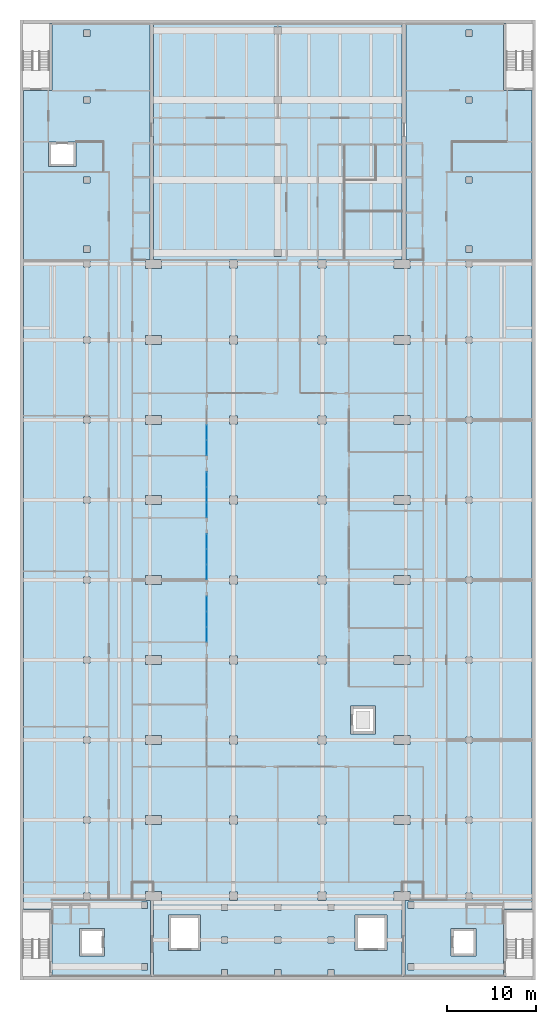
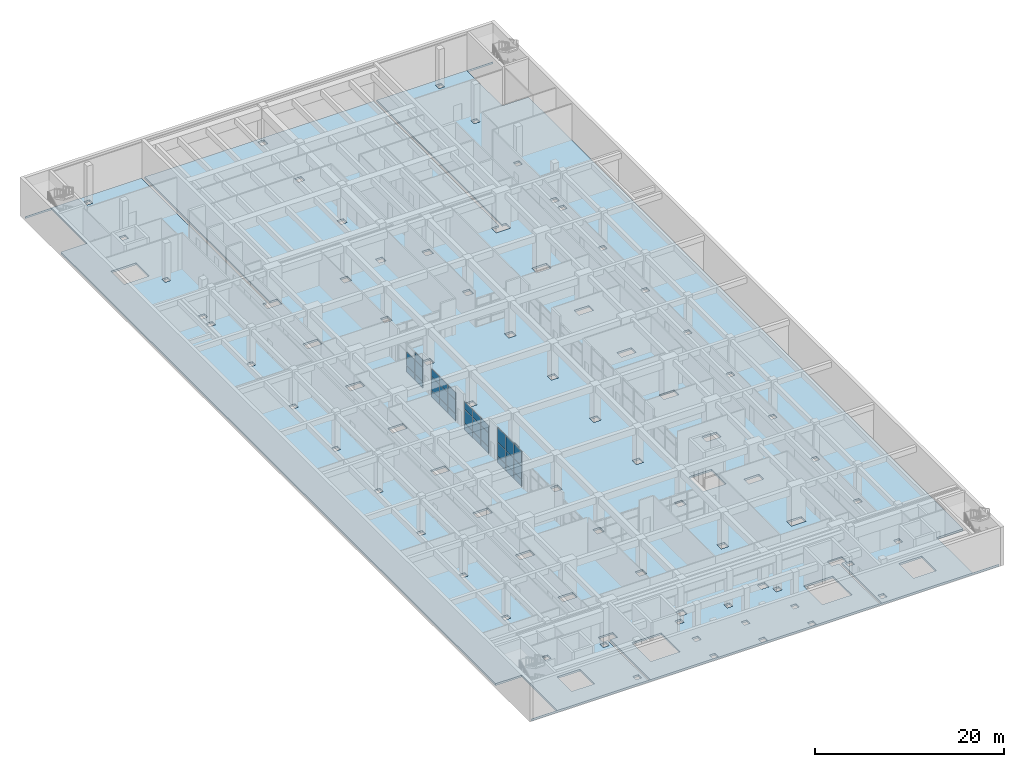
# One storey, part 15 of 29: 32 plates, 1 slab, 4 elements without a shape of their own.
"""IFC4 building model written with IfcOpenShell, lengths in metres."""

from ifc_helpers import new_model, si_unit, direction, frame, origin, origin_2d, place, context, subcontext, project, spatial, polyline, rectangle, outline, extrude, material, layer, layer_set, type_object, element, aggregate, save


model = new_model("IFC4")

# Units and contexts
model_context = context("Model", 3, precision=1e-05, world=origin(), true_north=direction((0.0, 1.0)))
body_context = subcontext(model_context, "Body", "Model", "MODEL_VIEW")
ifc_project = project(units=[si_unit("LENGTHUNIT", "METRE"), si_unit("AREAUNIT", "SQUARE_METRE"), si_unit("VOLUMEUNIT", "CUBIC_METRE"), si_unit("PLANEANGLEUNIT", "RADIAN"), si_unit("MASSUNIT", "GRAM", prefix="KILO")], contexts=[model_context])

# Site, building, storey
site_placement = place(None, origin())
site = spatial("IfcSite", under=ifc_project, at=site_placement, CompositionType="ELEMENT")
building_placement = place(site_placement, origin())
building = spatial("IfcBuilding", under=site, at=building_placement, Name="Elmora Arch Market Hall", CompositionType="ELEMENT")
storey_placement = place(building_placement, frame((0.0, 0.0, -5.0)))
storey = spatial("IfcBuildingStorey", under=building, at=storey_placement, Name="LG", CompositionType="ELEMENT", Elevation=-5.0)

# Slab
ifc_material_1 = material(Name="Concrete C32/40", Category="concrete")
ifc_layer_1 = layer(ifc_material_1, 0.25)
ifc_layer_set_1 = layer_set([ifc_layer_1], Name="Concrete C32/40")
slab_type = type_object("IfcSlabType", Name="Floor slab 250", PredefinedType="FLOOR", material=ifc_layer_set_1)
slab_placement = place(storey_placement, frame((0.0, 0.0, -0.25)))
element("IfcSlab", 1, at=slab_placement, inside=storey, type_object=slab_type, Name="LG floor slab BASEMENT", PredefinedType="FLOOR", context=body_context, shape_type="SweptSolid", body=[
    extrude(outline(polyline([(3.60107421875, 18.448974609375), (3.60107421875, 25.950927734375), (0.40087890625, 25.950927734375), (0.40087890625, 118.049072265625), (3.60107421875, 118.049072265625), (3.60107421875, 125.551025390625), (0.40087890625, 125.551025390625), (0.40087890625, 125.59912109375), (14.59912109375, 125.59912109375), (14.59912109375, 99.051025390625), (14.09912109375, 99.051025390625), (14.09912109375, 98.049072265625), (15.90087890625, 98.049072265625), (15.90087890625, 99.051025390625), (15.0009765625, 99.051025390625), (15.0009765625, 125.59912109375), (42.9990234375, 125.59912109375), (42.9990234375, 99.051025390625), (42.09912109375, 99.051025390625), (42.09912109375, 98.049072265625), (43.90087890625, 98.049072265625), (43.90087890625, 99.051025390625), (43.40087890625, 99.051025390625), (43.40087890625, 125.59912109375), (57.59912109375, 125.59912109375), (57.59912109375, 125.551025390625), (54.39892578125, 125.551025390625), (54.39892578125, 118.049072265625), (57.59912109375, 118.049072265625), (57.59912109375, 25.950927734375), (54.39892578125, 25.950927734375), (54.39892578125, 18.448974609375), (57.59912109375, 18.448974609375), (57.59912109375, 18.40087890625), (0.40087890625, 18.40087890625), (0.40087890625, 18.448974609375), (3.60107421875, 18.448974609375)]), holes=[polyline([(48.4990234375, 23.801025390625), (48.4990234375, 20.698974609375), (51.301025390625, 20.698974609375), (51.301025390625, 23.801025390625), (48.4990234375, 23.801025390625)]), polyline([(50.85107421875, 124.85107421875), (50.14892578125, 124.85107421875), (50.14892578125, 124.14892578125), (50.85107421875, 124.14892578125), (50.85107421875, 124.85107421875)]), polyline([(50.14892578125, 27.801025390625), (50.14892578125, 27.09912109375), (50.85107421875, 27.09912109375), (50.85107421875, 27.801025390625), (50.14892578125, 27.801025390625)]), polyline([(50.14892578125, 36.35107421875), (50.14892578125, 35.64892578125), (50.85107421875, 35.64892578125), (50.85107421875, 36.35107421875), (50.14892578125, 36.35107421875)]), polyline([(50.14892578125, 45.35107421875), (50.14892578125, 44.64892578125), (50.85107421875, 44.64892578125), (50.85107421875, 45.35107421875), (50.14892578125, 45.35107421875)]), polyline([(50.14892578125, 54.35107421875), (50.14892578125, 53.64892578125), (50.85107421875, 53.64892578125), (50.85107421875, 54.35107421875), (50.14892578125, 54.35107421875)]), polyline([(50.14892578125, 63.35107421875), (50.14892578125, 62.64892578125), (50.85107421875, 62.64892578125), (50.85107421875, 63.35107421875), (50.14892578125, 63.35107421875)]), polyline([(50.14892578125, 72.35107421875), (50.14892578125, 71.64892578125), (50.85107421875, 71.64892578125), (50.85107421875, 72.35107421875), (50.14892578125, 72.35107421875)]), polyline([(50.14892578125, 90.35107421875), (50.14892578125, 89.64892578125), (50.85107421875, 89.64892578125), (50.85107421875, 90.35107421875), (50.14892578125, 90.35107421875)]), polyline([(50.14892578125, 81.35107421875), (50.14892578125, 80.64892578125), (50.85107421875, 80.64892578125), (50.85107421875, 81.35107421875), (50.14892578125, 81.35107421875)]), polyline([(50.14892578125, 117.35107421875), (50.14892578125, 116.64892578125), (50.85107421875, 116.64892578125), (50.85107421875, 117.35107421875), (50.14892578125, 117.35107421875)]), polyline([(50.14892578125, 108.35107421875), (50.14892578125, 107.64892578125), (50.85107421875, 107.64892578125), (50.85107421875, 108.35107421875), (50.14892578125, 108.35107421875)]), polyline([(50.14892578125, 100.551025390625), (50.14892578125, 99.84912109375), (50.85107421875, 99.84912109375), (50.85107421875, 100.551025390625), (50.14892578125, 100.551025390625)]), polyline([(50.14892578125, 98.90087890625), (50.14892578125, 98.198974609375), (50.85107421875, 98.198974609375), (50.85107421875, 98.90087890625), (50.14892578125, 98.90087890625)]), polyline([(43.64892578125, 26.7509765625), (43.64892578125, 26.049072265625), (44.35107421875, 26.049072265625), (44.35107421875, 26.7509765625), (43.64892578125, 26.7509765625)]), polyline([(43.64892578125, 19.85107421875), (43.64892578125, 19.14892578125), (44.35107421875, 19.14892578125), (44.35107421875, 19.85107421875), (43.64892578125, 19.85107421875)]), polyline([(42.09912109375, 90.5009765625), (42.09912109375, 89.4990234375), (43.90087890625, 89.4990234375), (43.90087890625, 90.5009765625), (42.09912109375, 90.5009765625)]), polyline([(42.09912109375, 81.5009765625), (42.09912109375, 80.4990234375), (43.90087890625, 80.4990234375), (43.90087890625, 81.5009765625), (42.09912109375, 81.5009765625)]), polyline([(42.09912109375, 72.5009765625), (42.09912109375, 71.4990234375), (43.90087890625, 71.4990234375), (43.90087890625, 72.5009765625), (42.09912109375, 72.5009765625)]), polyline([(42.09912109375, 63.5009765625), (42.09912109375, 62.4990234375), (43.90087890625, 62.4990234375), (43.90087890625, 63.5009765625), (42.09912109375, 63.5009765625)]), polyline([(42.09912109375, 54.5009765625), (42.09912109375, 53.4990234375), (43.90087890625, 53.4990234375), (43.90087890625, 54.5009765625), (42.09912109375, 54.5009765625)]), polyline([(42.09912109375, 45.5009765625), (42.09912109375, 44.4990234375), (43.90087890625, 44.4990234375), (43.90087890625, 45.5009765625), (42.09912109375, 45.5009765625)]), polyline([(42.09912109375, 36.5009765625), (42.09912109375, 35.4990234375), (43.90087890625, 35.4990234375), (43.90087890625, 36.5009765625), (42.09912109375, 36.5009765625)]), polyline([(42.09912109375, 27.950927734375), (42.09912109375, 26.948974609375), (42.9990234375, 26.948974609375), (42.9990234375, 18.448974609375), (43.301025390625, 18.448974609375), (43.301025390625, 26.948974609375), (43.90087890625, 26.948974609375), (43.90087890625, 27.950927734375), (42.09912109375, 27.950927734375)]), polyline([(41.301025390625, 21.299072265625), (41.301025390625, 25.301025390625), (37.698974609375, 25.301025390625), (37.698974609375, 21.299072265625), (41.301025390625, 21.299072265625)]), polyline([(37.198974609375, 48.801025390625), (37.198974609375, 45.698974609375), (40.0009765625, 45.698974609375), (40.0009765625, 48.801025390625), (37.198974609375, 48.801025390625)]), polyline([(34.64892578125, 26.5009765625), (34.64892578125, 25.799072265625), (35.35107421875, 25.799072265625), (35.35107421875, 26.5009765625), (34.64892578125, 26.5009765625)]), polyline([(34.64892578125, 22.85107421875), (34.64892578125, 22.14892578125), (35.35107421875, 22.14892578125), (35.35107421875, 22.85107421875), (34.64892578125, 22.85107421875)]), polyline([(34.64892578125, 19.200927734375), (34.64892578125, 18.4990234375), (35.35107421875, 18.4990234375), (35.35107421875, 19.200927734375), (34.64892578125, 19.200927734375)]), polyline([(33.549072265625, 54.450927734375), (33.549072265625, 53.549072265625), (34.450927734375, 53.549072265625), (34.450927734375, 54.450927734375), (33.549072265625, 54.450927734375)]), polyline([(33.549072265625, 27.90087890625), (33.549072265625, 26.9990234375), (34.450927734375, 26.9990234375), (34.450927734375, 27.90087890625), (33.549072265625, 27.90087890625)]), polyline([(33.549072265625, 36.450927734375), (33.549072265625, 35.549072265625), (34.450927734375, 35.549072265625), (34.450927734375, 36.450927734375), (33.549072265625, 36.450927734375)]), polyline([(33.549072265625, 45.450927734375), (33.549072265625, 44.549072265625), (34.450927734375, 44.549072265625), (34.450927734375, 45.450927734375), (33.549072265625, 45.450927734375)]), polyline([(33.549072265625, 63.450927734375), (33.549072265625, 62.549072265625), (34.450927734375, 62.549072265625), (34.450927734375, 63.450927734375), (33.549072265625, 63.450927734375)]), polyline([(33.549072265625, 72.450927734375), (33.549072265625, 71.549072265625), (34.450927734375, 71.549072265625), (34.450927734375, 72.450927734375), (33.549072265625, 72.450927734375)]), polyline([(33.549072265625, 81.450927734375), (33.549072265625, 80.549072265625), (34.450927734375, 80.549072265625), (34.450927734375, 81.450927734375), (33.549072265625, 81.450927734375)]), polyline([(33.549072265625, 90.450927734375), (33.549072265625, 89.549072265625), (34.450927734375, 89.549072265625), (34.450927734375, 90.450927734375), (33.549072265625, 90.450927734375)]), polyline([(33.549072265625, 99.0009765625), (33.549072265625, 98.09912109375), (34.450927734375, 98.09912109375), (34.450927734375, 99.0009765625), (33.549072265625, 99.0009765625)]), polyline([(28.59912109375, 125.200927734375), (28.59912109375, 124.39892578125), (29.40087890625, 124.39892578125), (29.40087890625, 125.200927734375), (28.59912109375, 125.200927734375)]), polyline([(28.59912109375, 117.40087890625), (28.59912109375, 116.59912109375), (29.40087890625, 116.59912109375), (29.40087890625, 117.40087890625), (28.59912109375, 117.40087890625)]), polyline([(28.59912109375, 100.200927734375), (28.59912109375, 99.39892578125), (29.40087890625, 99.39892578125), (29.40087890625, 100.200927734375), (28.59912109375, 100.200927734375)]), polyline([(28.59912109375, 108.40087890625), (28.59912109375, 107.59912109375), (29.40087890625, 107.59912109375), (29.40087890625, 108.40087890625), (28.59912109375, 108.40087890625)]), polyline([(28.64892578125, 22.85107421875), (28.64892578125, 22.14892578125), (29.35107421875, 22.14892578125), (29.35107421875, 22.85107421875), (28.64892578125, 22.85107421875)]), polyline([(28.64892578125, 19.200927734375), (28.64892578125, 18.4990234375), (29.35107421875, 18.4990234375), (29.35107421875, 19.200927734375), (28.64892578125, 19.200927734375)]), polyline([(28.64892578125, 26.5009765625), (28.64892578125, 25.799072265625), (29.35107421875, 25.799072265625), (29.35107421875, 26.5009765625), (28.64892578125, 26.5009765625)]), polyline([(23.549072265625, 99.0009765625), (23.549072265625, 98.09912109375), (24.450927734375, 98.09912109375), (24.450927734375, 99.0009765625), (23.549072265625, 99.0009765625)]), polyline([(23.549072265625, 90.450927734375), (23.549072265625, 89.549072265625), (24.450927734375, 89.549072265625), (24.450927734375, 90.450927734375), (23.549072265625, 90.450927734375)]), polyline([(23.549072265625, 81.450927734375), (23.549072265625, 80.549072265625), (24.450927734375, 80.549072265625), (24.450927734375, 81.450927734375), (23.549072265625, 81.450927734375)]), polyline([(23.549072265625, 72.450927734375), (23.549072265625, 71.549072265625), (24.450927734375, 71.549072265625), (24.450927734375, 72.450927734375), (23.549072265625, 72.450927734375)]), polyline([(23.549072265625, 63.450927734375), (23.549072265625, 62.549072265625), (24.450927734375, 62.549072265625), (24.450927734375, 63.450927734375), (23.549072265625, 63.450927734375)]), polyline([(23.549072265625, 54.450927734375), (23.549072265625, 53.549072265625), (24.450927734375, 53.549072265625), (24.450927734375, 54.450927734375), (23.549072265625, 54.450927734375)]), polyline([(23.549072265625, 45.450927734375), (23.549072265625, 44.549072265625), (24.450927734375, 44.549072265625), (24.450927734375, 45.450927734375), (23.549072265625, 45.450927734375)]), polyline([(23.549072265625, 36.450927734375), (23.549072265625, 35.549072265625), (24.450927734375, 35.549072265625), (24.450927734375, 36.450927734375), (23.549072265625, 36.450927734375)]), polyline([(23.549072265625, 27.90087890625), (23.549072265625, 26.9990234375), (24.450927734375, 26.9990234375), (24.450927734375, 27.90087890625), (23.549072265625, 27.90087890625)]), polyline([(22.64892578125, 19.200927734375), (22.64892578125, 18.4990234375), (23.35107421875, 18.4990234375), (23.35107421875, 19.200927734375), (22.64892578125, 19.200927734375)]), polyline([(22.64892578125, 22.85107421875), (22.64892578125, 22.14892578125), (23.35107421875, 22.14892578125), (23.35107421875, 22.85107421875), (22.64892578125, 22.85107421875)]), polyline([(22.64892578125, 26.5009765625), (22.64892578125, 25.799072265625), (23.35107421875, 25.799072265625), (23.35107421875, 26.5009765625), (22.64892578125, 26.5009765625)]), polyline([(20.301025390625, 21.299072265625), (20.301025390625, 25.301025390625), (16.698974609375, 25.301025390625), (16.698974609375, 21.299072265625), (20.301025390625, 21.299072265625)]), polyline([(14.09912109375, 90.5009765625), (14.09912109375, 89.4990234375), (15.90087890625, 89.4990234375), (15.90087890625, 90.5009765625), (14.09912109375, 90.5009765625)]), polyline([(14.09912109375, 81.5009765625), (14.09912109375, 80.4990234375), (15.90087890625, 80.4990234375), (15.90087890625, 81.5009765625), (14.09912109375, 81.5009765625)]), polyline([(14.09912109375, 72.5009765625), (14.09912109375, 71.4990234375), (15.90087890625, 71.4990234375), (15.90087890625, 72.5009765625), (14.09912109375, 72.5009765625)]), polyline([(14.09912109375, 63.5009765625), (14.09912109375, 62.4990234375), (15.90087890625, 62.4990234375), (15.90087890625, 63.5009765625), (14.09912109375, 63.5009765625)]), polyline([(14.09912109375, 54.5009765625), (14.09912109375, 53.4990234375), (15.90087890625, 53.4990234375), (15.90087890625, 54.5009765625), (14.09912109375, 54.5009765625)]), polyline([(14.09912109375, 45.5009765625), (14.09912109375, 44.4990234375), (15.90087890625, 44.4990234375), (15.90087890625, 45.5009765625), (14.09912109375, 45.5009765625)]), polyline([(14.09912109375, 36.5009765625), (14.09912109375, 35.4990234375), (15.90087890625, 35.4990234375), (15.90087890625, 36.5009765625), (14.09912109375, 36.5009765625)]), polyline([(14.698974609375, 26.948974609375), (14.698974609375, 18.448974609375), (15.0009765625, 18.448974609375), (15.0009765625, 26.948974609375), (15.90087890625, 26.948974609375), (15.90087890625, 27.950927734375), (14.09912109375, 27.950927734375), (14.09912109375, 26.948974609375), (14.698974609375, 26.948974609375)]), polyline([(13.64892578125, 26.7509765625), (13.64892578125, 26.049072265625), (14.35107421875, 26.049072265625), (14.35107421875, 26.7509765625), (13.64892578125, 26.7509765625)]), polyline([(13.64892578125, 19.85107421875), (13.64892578125, 19.14892578125), (14.35107421875, 19.14892578125), (14.35107421875, 19.85107421875), (13.64892578125, 19.85107421875)]), polyline([(6.698974609375, 23.801025390625), (6.698974609375, 20.698974609375), (9.5009765625, 20.698974609375), (9.5009765625, 23.801025390625), (6.698974609375, 23.801025390625)]), polyline([(7.14892578125, 36.35107421875), (7.14892578125, 35.64892578125), (7.85107421875, 35.64892578125), (7.85107421875, 36.35107421875), (7.14892578125, 36.35107421875)]), polyline([(7.14892578125, 124.85107421875), (7.14892578125, 124.14892578125), (7.85107421875, 124.14892578125), (7.85107421875, 124.85107421875), (7.14892578125, 124.85107421875)]), polyline([(7.14892578125, 117.35107421875), (7.14892578125, 116.64892578125), (7.85107421875, 116.64892578125), (7.85107421875, 117.35107421875), (7.14892578125, 117.35107421875)]), polyline([(7.14892578125, 108.35107421875), (7.14892578125, 107.64892578125), (7.85107421875, 107.64892578125), (7.85107421875, 108.35107421875), (7.14892578125, 108.35107421875)]), polyline([(7.14892578125, 100.551025390625), (7.14892578125, 99.84912109375), (7.85107421875, 99.84912109375), (7.85107421875, 100.551025390625), (7.14892578125, 100.551025390625)]), polyline([(7.14892578125, 98.90087890625), (7.14892578125, 98.198974609375), (7.85107421875, 98.198974609375), (7.85107421875, 98.90087890625), (7.14892578125, 98.90087890625)]), polyline([(7.14892578125, 90.35107421875), (7.14892578125, 89.64892578125), (7.85107421875, 89.64892578125), (7.85107421875, 90.35107421875), (7.14892578125, 90.35107421875)]), polyline([(7.14892578125, 81.35107421875), (7.14892578125, 80.64892578125), (7.85107421875, 80.64892578125), (7.85107421875, 81.35107421875), (7.14892578125, 81.35107421875)]), polyline([(7.14892578125, 72.35107421875), (7.14892578125, 71.64892578125), (7.85107421875, 71.64892578125), (7.85107421875, 72.35107421875), (7.14892578125, 72.35107421875)]), polyline([(7.14892578125, 63.35107421875), (7.14892578125, 62.64892578125), (7.85107421875, 62.64892578125), (7.85107421875, 63.35107421875), (7.14892578125, 63.35107421875)]), polyline([(7.14892578125, 54.35107421875), (7.14892578125, 53.64892578125), (7.85107421875, 53.64892578125), (7.85107421875, 54.35107421875), (7.14892578125, 54.35107421875)]), polyline([(7.14892578125, 45.35107421875), (7.14892578125, 44.64892578125), (7.85107421875, 44.64892578125), (7.85107421875, 45.35107421875), (7.14892578125, 45.35107421875)]), polyline([(7.14892578125, 27.801025390625), (7.14892578125, 27.09912109375), (7.85107421875, 27.09912109375), (7.85107421875, 27.801025390625), (7.14892578125, 27.801025390625)]), polyline([(6.301025390625, 109.4990234375), (6.301025390625, 112.301025390625), (3.198974609375, 112.301025390625), (3.198974609375, 109.4990234375), (6.301025390625, 109.4990234375)])]), origin(), (0.0, 0.0, 1.0), 0.25),
])

# Curtain wall, plates
ifc_material_2 = material(Name="Aluminium", Category="aluminium")
curtain_wall_type = type_object("IfcCurtainWallType", Name="Lower ground shopfront curtain wall", PredefinedType="NOTDEFINED", material=ifc_material_2)
curtain_wall_1_placement = place(storey_placement, origin())
curtain_wall_1 = element("IfcCurtainWall", 2, at=curtain_wall_1_placement, inside=storey, type_object=curtain_wall_type, Name="Lower ground shopfront W3", PredefinedType="NOTDEFINED")
ifc_material_3 = material(Name="Glass", Category="glass")
ifc_layer_2 = layer(ifc_material_3, 0.028076171875)
ifc_layer_set_2 = layer_set([ifc_layer_2], Name="Glass")
plate_type = type_object("IfcPlateType", Name="Glass panel 28", PredefinedType="CURTAIN_PANEL", material=ifc_layer_set_2)
plate_1_placement = place(storey_placement, frame((21.0, 56.881591796875, 0.06005859375), z_axis=(0.0, 0.0, 1.0), x_axis=(0.0, 1.0, 0.0)))
plate_1 = element("IfcPlate", 3, at=plate_1_placement, type_object=plate_type, Name="CW6 panel 1.1", PredefinedType="CURTAIN_PANEL", context=body_context, shape_type="SweptSolid", body=[
    extrude(rectangle(XDim=1.643310546875, YDim=0.028076171875, at=origin_2d()), origin(), (0.0, 0.0, 1.0), 0.81005859375),
])
plate_2_placement = place(storey_placement, frame((21.0, 56.881591796875, 0.93017578125), z_axis=(0.0, 0.0, 1.0), x_axis=(0.0, 1.0, 0.0)))
plate_2 = element("IfcPlate", 4, at=plate_2_placement, type_object=plate_type, Name="CW6 panel 1.2", PredefinedType="CURTAIN_PANEL", context=body_context, shape_type="SweptSolid", body=[
    extrude(rectangle(XDim=1.643310546875, YDim=0.028076171875, at=origin_2d()), origin(), (0.0, 0.0, 1.0), 1.739990234375),
])
plate_3_placement = place(storey_placement, frame((21.0, 56.881591796875, 2.72998046875), z_axis=(0.0, 0.0, 1.0), x_axis=(0.0, 1.0, 0.0)))
plate_3 = element("IfcPlate", 5, at=plate_3_placement, type_object=plate_type, Name="CW6 panel 1.3", PredefinedType="CURTAIN_PANEL", context=body_context, shape_type="SweptSolid", body=[
    extrude(rectangle(XDim=1.643310546875, YDim=0.028076171875, at=origin_2d()), origin(), (0.0, 0.0, 1.0), 1.860107421875),
])
plate_4_placement = place(storey_placement, frame((21.0, 58.60009765625, 0.06005859375), z_axis=(0.0, 0.0, 1.0), x_axis=(0.0, 1.0, 0.0)))
plate_4 = element("IfcPlate", 6, at=plate_4_placement, type_object=plate_type, Name="CW6 panel 2.1", PredefinedType="CURTAIN_PANEL", context=body_context, shape_type="SweptSolid", body=[
    extrude(rectangle(XDim=1.67333984375, YDim=0.028076171875, at=origin_2d()), origin(), (0.0, 0.0, 1.0), 0.81005859375),
])
plate_5_placement = place(storey_placement, frame((21.0, 58.60009765625, 0.93017578125), z_axis=(0.0, 0.0, 1.0), x_axis=(0.0, 1.0, 0.0)))
plate_5 = element("IfcPlate", 7, at=plate_5_placement, type_object=plate_type, Name="CW6 panel 2.2", PredefinedType="CURTAIN_PANEL", context=body_context, shape_type="SweptSolid", body=[
    extrude(rectangle(XDim=1.67333984375, YDim=0.028076171875, at=origin_2d()), origin(), (0.0, 0.0, 1.0), 1.739990234375),
])
plate_6_placement = place(storey_placement, frame((21.0, 58.60009765625, 2.72998046875), z_axis=(0.0, 0.0, 1.0), x_axis=(0.0, 1.0, 0.0)))
plate_6 = element("IfcPlate", 8, at=plate_6_placement, type_object=plate_type, Name="CW6 panel 2.3", PredefinedType="CURTAIN_PANEL", context=body_context, shape_type="SweptSolid", body=[
    extrude(rectangle(XDim=1.67333984375, YDim=0.028076171875, at=origin_2d()), origin(), (0.0, 0.0, 1.0), 1.860107421875),
])
plate_7_placement = place(storey_placement, frame((21.0, 60.318359375, 0.06005859375), z_axis=(0.0, 0.0, 1.0), x_axis=(0.0, 1.0, 0.0)))
plate_7 = element("IfcPlate", 9, at=plate_7_placement, type_object=plate_type, Name="CW6 panel 3.1", PredefinedType="CURTAIN_PANEL", context=body_context, shape_type="SweptSolid", body=[
    extrude(rectangle(XDim=1.643310546875, YDim=0.028076171875, at=origin_2d()), origin(), (0.0, 0.0, 1.0), 0.81005859375),
])
plate_8_placement = place(storey_placement, frame((21.0, 60.318359375, 0.93017578125), z_axis=(0.0, 0.0, 1.0), x_axis=(0.0, 1.0, 0.0)))
plate_8 = element("IfcPlate", 10, at=plate_8_placement, type_object=plate_type, Name="CW6 panel 3.2", PredefinedType="CURTAIN_PANEL", context=body_context, shape_type="SweptSolid", body=[
    extrude(rectangle(XDim=1.643310546875, YDim=0.028076171875, at=origin_2d()), origin(), (0.0, 0.0, 1.0), 1.739990234375),
])
plate_9_placement = place(storey_placement, frame((21.0, 60.318359375, 2.72998046875), z_axis=(0.0, 0.0, 1.0), x_axis=(0.0, 1.0, 0.0)))
plate_9 = element("IfcPlate", 11, at=plate_9_placement, type_object=plate_type, Name="CW6 panel 3.3", PredefinedType="CURTAIN_PANEL", context=body_context, shape_type="SweptSolid", body=[
    extrude(rectangle(XDim=1.643310546875, YDim=0.028076171875, at=origin_2d()), origin(), (0.0, 0.0, 1.0), 1.860107421875),
])
aggregate(curtain_wall_1, [plate_1, plate_2, plate_3, plate_4, plate_5, plate_6, plate_7, plate_8, plate_9])

curtain_wall_2_placement = place(storey_placement, origin())
curtain_wall_2 = element("IfcCurtainWall", 12, at=curtain_wall_2_placement, inside=storey, type_object=curtain_wall_type, Name="Lower ground shopfront W4", PredefinedType="NOTDEFINED")
plate_10_placement = place(storey_placement, frame((21.0, 63.881591796875, 0.06005859375), z_axis=(0.0, 0.0, 1.0), x_axis=(0.0, 1.0, 0.0)))
plate_10 = element("IfcPlate", 13, at=plate_10_placement, type_object=plate_type, Name="CW6 panel 1.1", PredefinedType="CURTAIN_PANEL", context=body_context, shape_type="SweptSolid", body=[
    extrude(rectangle(XDim=1.643310546875, YDim=0.028076171875, at=origin_2d()), origin(), (0.0, 0.0, 1.0), 0.81005859375),
])
plate_11_placement = place(storey_placement, frame((21.0, 63.881591796875, 0.93017578125), z_axis=(0.0, 0.0, 1.0), x_axis=(0.0, 1.0, 0.0)))
plate_11 = element("IfcPlate", 14, at=plate_11_placement, type_object=plate_type, Name="CW6 panel 1.2", PredefinedType="CURTAIN_PANEL", context=body_context, shape_type="SweptSolid", body=[
    extrude(rectangle(XDim=1.643310546875, YDim=0.028076171875, at=origin_2d()), origin(), (0.0, 0.0, 1.0), 1.739990234375),
])
plate_12_placement = place(storey_placement, frame((21.0, 63.881591796875, 2.72998046875), z_axis=(0.0, 0.0, 1.0), x_axis=(0.0, 1.0, 0.0)))
plate_12 = element("IfcPlate", 15, at=plate_12_placement, type_object=plate_type, Name="CW6 panel 1.3", PredefinedType="CURTAIN_PANEL", context=body_context, shape_type="SweptSolid", body=[
    extrude(rectangle(XDim=1.643310546875, YDim=0.028076171875, at=origin_2d()), origin(), (0.0, 0.0, 1.0), 0.9599609375),
])
plate_13_placement = place(storey_placement, frame((21.0, 65.60009765625, 0.06005859375), z_axis=(0.0, 0.0, 1.0), x_axis=(0.0, 1.0, 0.0)))
plate_13 = element("IfcPlate", 16, at=plate_13_placement, type_object=plate_type, Name="CW6 panel 2.1", PredefinedType="CURTAIN_PANEL", context=body_context, shape_type="SweptSolid", body=[
    extrude(rectangle(XDim=1.67333984375, YDim=0.028076171875, at=origin_2d()), origin(), (0.0, 0.0, 1.0), 0.81005859375),
])
plate_14_placement = place(storey_placement, frame((21.0, 65.60009765625, 0.93017578125), z_axis=(0.0, 0.0, 1.0), x_axis=(0.0, 1.0, 0.0)))
plate_14 = element("IfcPlate", 17, at=plate_14_placement, type_object=plate_type, Name="CW6 panel 2.2", PredefinedType="CURTAIN_PANEL", context=body_context, shape_type="SweptSolid", body=[
    extrude(rectangle(XDim=1.67333984375, YDim=0.028076171875, at=origin_2d()), origin(), (0.0, 0.0, 1.0), 1.739990234375),
])
plate_15_placement = place(storey_placement, frame((21.0, 65.60009765625, 2.72998046875), z_axis=(0.0, 0.0, 1.0), x_axis=(0.0, 1.0, 0.0)))
plate_15 = element("IfcPlate", 18, at=plate_15_placement, type_object=plate_type, Name="CW6 panel 2.3", PredefinedType="CURTAIN_PANEL", context=body_context, shape_type="SweptSolid", body=[
    extrude(rectangle(XDim=1.67333984375, YDim=0.028076171875, at=origin_2d()), origin(), (0.0, 0.0, 1.0), 0.9599609375),
])
plate_16_placement = place(storey_placement, frame((21.0, 67.318359375, 0.06005859375), z_axis=(0.0, 0.0, 1.0), x_axis=(0.0, 1.0, 0.0)))
plate_16 = element("IfcPlate", 19, at=plate_16_placement, type_object=plate_type, Name="CW6 panel 3.1", PredefinedType="CURTAIN_PANEL", context=body_context, shape_type="SweptSolid", body=[
    extrude(rectangle(XDim=1.643310546875, YDim=0.028076171875, at=origin_2d()), origin(), (0.0, 0.0, 1.0), 0.81005859375),
])
plate_17_placement = place(storey_placement, frame((21.0, 67.318359375, 0.93017578125), z_axis=(0.0, 0.0, 1.0), x_axis=(0.0, 1.0, 0.0)))
plate_17 = element("IfcPlate", 20, at=plate_17_placement, type_object=plate_type, Name="CW6 panel 3.2", PredefinedType="CURTAIN_PANEL", context=body_context, shape_type="SweptSolid", body=[
    extrude(rectangle(XDim=1.643310546875, YDim=0.028076171875, at=origin_2d()), origin(), (0.0, 0.0, 1.0), 1.739990234375),
])
plate_18_placement = place(storey_placement, frame((21.0, 67.318359375, 2.72998046875), z_axis=(0.0, 0.0, 1.0), x_axis=(0.0, 1.0, 0.0)))
plate_18 = element("IfcPlate", 21, at=plate_18_placement, type_object=plate_type, Name="CW6 panel 3.3", PredefinedType="CURTAIN_PANEL", context=body_context, shape_type="SweptSolid", body=[
    extrude(rectangle(XDim=1.643310546875, YDim=0.028076171875, at=origin_2d()), origin(), (0.0, 0.0, 1.0), 0.9599609375),
])
aggregate(curtain_wall_2, [plate_10, plate_11, plate_12, plate_13, plate_14, plate_15, plate_16, plate_17, plate_18])

curtain_wall_3_placement = place(storey_placement, origin())
curtain_wall_3 = element("IfcCurtainWall", 22, at=curtain_wall_3_placement, inside=storey, type_object=curtain_wall_type, Name="Lower ground shopfront W5", PredefinedType="NOTDEFINED")
plate_19_placement = place(storey_placement, frame((21.0, 70.881591796875, 0.06005859375), z_axis=(0.0, 0.0, 1.0), x_axis=(0.0, 1.0, 0.0)))
plate_19 = element("IfcPlate", 23, at=plate_19_placement, type_object=plate_type, Name="CW6 panel 1.1", PredefinedType="CURTAIN_PANEL", context=body_context, shape_type="SweptSolid", body=[
    extrude(rectangle(XDim=1.643310546875, YDim=0.028076171875, at=origin_2d()), origin(), (0.0, 0.0, 1.0), 0.81005859375),
])
plate_20_placement = place(storey_placement, frame((21.0, 70.881591796875, 0.93017578125), z_axis=(0.0, 0.0, 1.0), x_axis=(0.0, 1.0, 0.0)))
plate_20 = element("IfcPlate", 24, at=plate_20_placement, type_object=plate_type, Name="CW6 panel 1.2", PredefinedType="CURTAIN_PANEL", context=body_context, shape_type="SweptSolid", body=[
    extrude(rectangle(XDim=1.643310546875, YDim=0.028076171875, at=origin_2d()), origin(), (0.0, 0.0, 1.0), 1.739990234375),
])
plate_21_placement = place(storey_placement, frame((21.0, 70.881591796875, 2.72998046875), z_axis=(0.0, 0.0, 1.0), x_axis=(0.0, 1.0, 0.0)))
plate_21 = element("IfcPlate", 25, at=plate_21_placement, type_object=plate_type, Name="CW6 panel 1.3", PredefinedType="CURTAIN_PANEL", context=body_context, shape_type="SweptSolid", body=[
    extrude(rectangle(XDim=1.643310546875, YDim=0.028076171875, at=origin_2d()), origin(), (0.0, 0.0, 1.0), 0.9599609375),
])
plate_22_placement = place(storey_placement, frame((21.0, 72.60009765625, 0.06005859375), z_axis=(0.0, 0.0, 1.0), x_axis=(0.0, 1.0, 0.0)))
plate_22 = element("IfcPlate", 26, at=plate_22_placement, type_object=plate_type, Name="CW6 panel 2.1", PredefinedType="CURTAIN_PANEL", context=body_context, shape_type="SweptSolid", body=[
    extrude(rectangle(XDim=1.67333984375, YDim=0.028076171875, at=origin_2d()), origin(), (0.0, 0.0, 1.0), 0.81005859375),
])
plate_23_placement = place(storey_placement, frame((21.0, 72.60009765625, 0.93017578125), z_axis=(0.0, 0.0, 1.0), x_axis=(0.0, 1.0, 0.0)))
plate_23 = element("IfcPlate", 27, at=plate_23_placement, type_object=plate_type, Name="CW6 panel 2.2", PredefinedType="CURTAIN_PANEL", context=body_context, shape_type="SweptSolid", body=[
    extrude(rectangle(XDim=1.67333984375, YDim=0.028076171875, at=origin_2d()), origin(), (0.0, 0.0, 1.0), 1.739990234375),
])
plate_24_placement = place(storey_placement, frame((21.0, 72.60009765625, 2.72998046875), z_axis=(0.0, 0.0, 1.0), x_axis=(0.0, 1.0, 0.0)))
plate_24 = element("IfcPlate", 28, at=plate_24_placement, type_object=plate_type, Name="CW6 panel 2.3", PredefinedType="CURTAIN_PANEL", context=body_context, shape_type="SweptSolid", body=[
    extrude(rectangle(XDim=1.67333984375, YDim=0.028076171875, at=origin_2d()), origin(), (0.0, 0.0, 1.0), 0.9599609375),
])
plate_25_placement = place(storey_placement, frame((21.0, 74.318359375, 0.06005859375), z_axis=(0.0, 0.0, 1.0), x_axis=(0.0, 1.0, 0.0)))
plate_25 = element("IfcPlate", 29, at=plate_25_placement, type_object=plate_type, Name="CW6 panel 3.1", PredefinedType="CURTAIN_PANEL", context=body_context, shape_type="SweptSolid", body=[
    extrude(rectangle(XDim=1.643310546875, YDim=0.028076171875, at=origin_2d()), origin(), (0.0, 0.0, 1.0), 0.81005859375),
])
plate_26_placement = place(storey_placement, frame((21.0, 74.318359375, 0.93017578125), z_axis=(0.0, 0.0, 1.0), x_axis=(0.0, 1.0, 0.0)))
plate_26 = element("IfcPlate", 30, at=plate_26_placement, type_object=plate_type, Name="CW6 panel 3.2", PredefinedType="CURTAIN_PANEL", context=body_context, shape_type="SweptSolid", body=[
    extrude(rectangle(XDim=1.643310546875, YDim=0.028076171875, at=origin_2d()), origin(), (0.0, 0.0, 1.0), 1.739990234375),
])
plate_27_placement = place(storey_placement, frame((21.0, 74.318359375, 2.72998046875), z_axis=(0.0, 0.0, 1.0), x_axis=(0.0, 1.0, 0.0)))
plate_27 = element("IfcPlate", 31, at=plate_27_placement, type_object=plate_type, Name="CW6 panel 3.3", PredefinedType="CURTAIN_PANEL", context=body_context, shape_type="SweptSolid", body=[
    extrude(rectangle(XDim=1.643310546875, YDim=0.028076171875, at=origin_2d()), origin(), (0.0, 0.0, 1.0), 0.9599609375),
])
aggregate(curtain_wall_3, [plate_19, plate_20, plate_21, plate_22, plate_23, plate_24, plate_25, plate_26, plate_27])

curtain_wall_4_placement = place(storey_placement, origin())
curtain_wall_4 = element("IfcCurtainWall", 32, at=curtain_wall_4_placement, inside=storey, type_object=curtain_wall_type, Name="Lower ground shopfront W6", PredefinedType="NOTDEFINED")
plate_28_placement = place(storey_placement, frame((21.0, 77.881591796875, 0.06005859375), z_axis=(0.0, 0.0, 1.0), x_axis=(0.0, 1.0, 0.0)))
plate_28 = element("IfcPlate", 33, at=plate_28_placement, type_object=plate_type, Name="CW6 panel 1.1", PredefinedType="CURTAIN_PANEL", context=body_context, shape_type="SweptSolid", body=[
    extrude(rectangle(XDim=1.643310546875, YDim=0.028076171875, at=origin_2d()), origin(), (0.0, 0.0, 1.0), 0.81005859375),
])
plate_29_placement = place(storey_placement, frame((21.0, 77.881591796875, 0.93017578125), z_axis=(0.0, 0.0, 1.0), x_axis=(0.0, 1.0, 0.0)))
plate_29 = element("IfcPlate", 34, at=plate_29_placement, type_object=plate_type, Name="CW6 panel 1.2", PredefinedType="CURTAIN_PANEL", context=body_context, shape_type="SweptSolid", body=[
    extrude(rectangle(XDim=1.643310546875, YDim=0.028076171875, at=origin_2d()), origin(), (0.0, 0.0, 1.0), 1.739990234375),
])
plate_30_placement = place(storey_placement, frame((21.0, 77.881591796875, 2.72998046875), z_axis=(0.0, 0.0, 1.0), x_axis=(0.0, 1.0, 0.0)))
plate_30 = element("IfcPlate", 35, at=plate_30_placement, type_object=plate_type, Name="CW6 panel 1.3", PredefinedType="CURTAIN_PANEL", context=body_context, shape_type="SweptSolid", body=[
    extrude(rectangle(XDim=1.643310546875, YDim=0.028076171875, at=origin_2d()), origin(), (0.0, 0.0, 1.0), 0.9599609375),
])
plate_31_placement = place(storey_placement, frame((21.0, 79.60009765625, 0.06005859375), z_axis=(0.0, 0.0, 1.0), x_axis=(0.0, 1.0, 0.0)))
plate_31 = element("IfcPlate", 36, at=plate_31_placement, type_object=plate_type, Name="CW6 panel 2.1", PredefinedType="CURTAIN_PANEL", context=body_context, shape_type="SweptSolid", body=[
    extrude(rectangle(XDim=1.67333984375, YDim=0.028076171875, at=origin_2d()), origin(), (0.0, 0.0, 1.0), 0.81005859375),
])
plate_32_placement = place(storey_placement, frame((21.0, 79.60009765625, 0.93017578125), z_axis=(0.0, 0.0, 1.0), x_axis=(0.0, 1.0, 0.0)))
plate_32 = element("IfcPlate", 37, at=plate_32_placement, type_object=plate_type, Name="CW6 panel 2.2", PredefinedType="CURTAIN_PANEL", context=body_context, shape_type="SweptSolid", body=[
    extrude(rectangle(XDim=1.67333984375, YDim=0.028076171875, at=origin_2d()), origin(), (0.0, 0.0, 1.0), 1.739990234375),
])
aggregate(curtain_wall_4, [plate_28, plate_29, plate_30, plate_31, plate_32])

save(model, "model.ifc")
